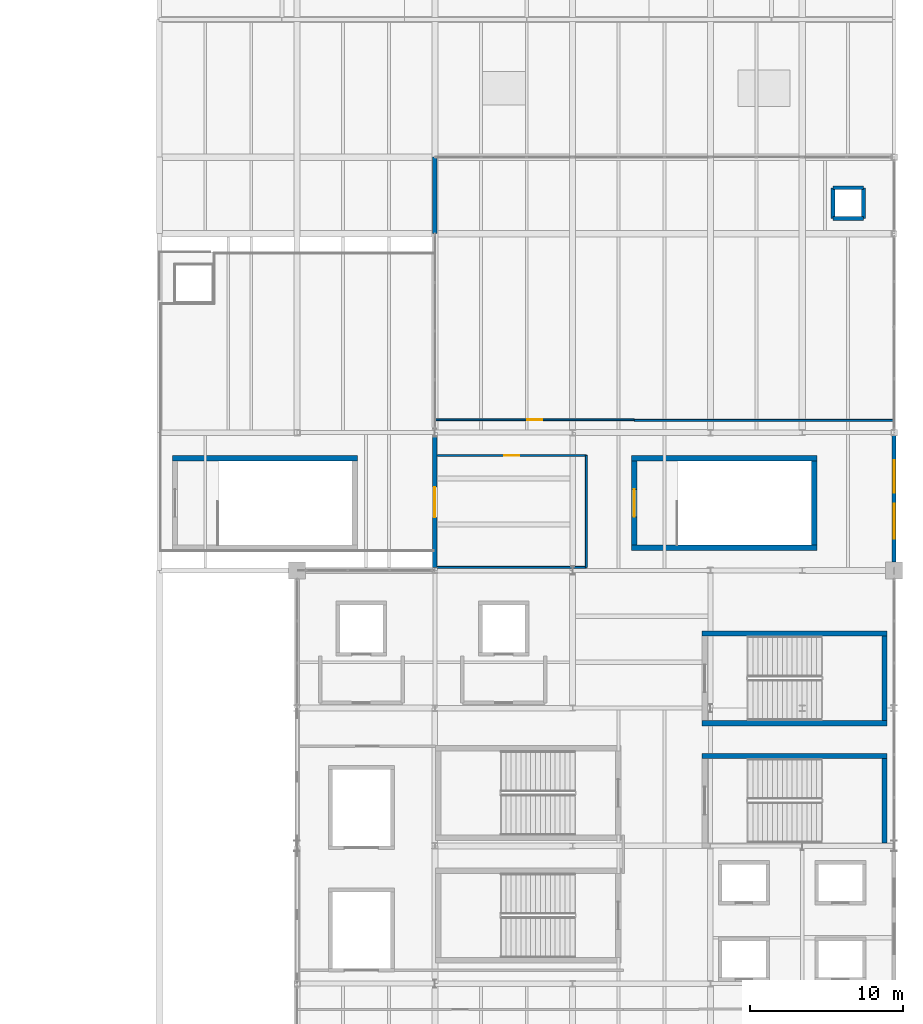
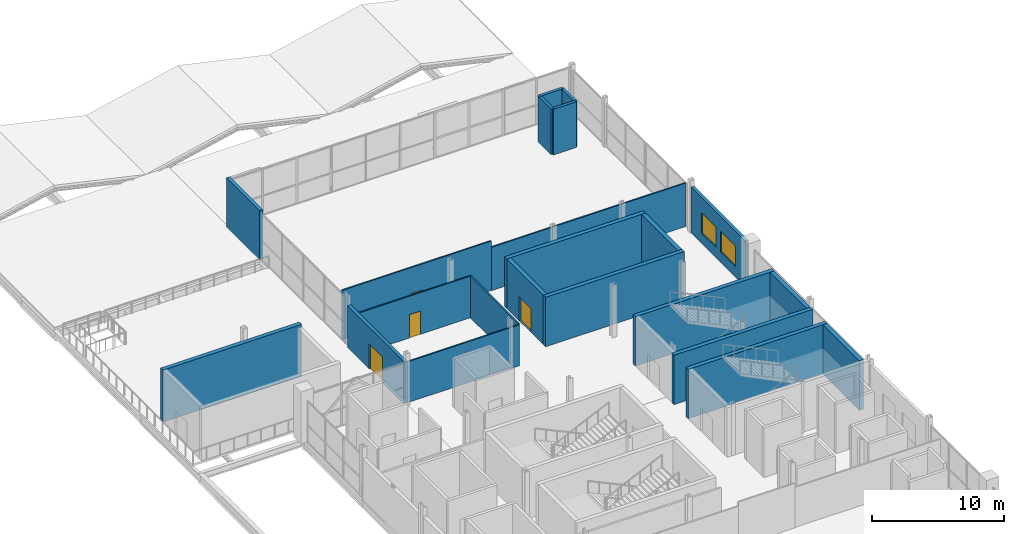
# One storey, part 42 of 50: 22 walls, 4 doors, 2 windows, 6 openings.
"""IFC4 building model written with IfcOpenShell, lengths in metres."""

import ifcopenshell
import ifcopenshell.guid

model = None  # the IFC model being written
_history = None  # IfcOwnerHistory: only IFC2X3 demands one
_inside = {}  # id of a spatial element -> (the spatial element, [elements in it])
_under = {}  # id of a project, library or spatial element -> (it, [spatial elements below it])
_declared = {}  # id of a project -> (the project, [libraries it declares])
_typed = {}  # id of a type object -> (the type object, [elements of that type])
_made_of = {}  # id of a material, layer set ... -> (it, [elements and type objects made of it])


def new_model(schema):
    """Start an empty IFC model of exactly this schema.

    Asked for "IFC4X3", IfcOpenShell would pick the latest addendum, in which some entities
    have other attributes; the version numbers below select the first issue.
    IFC2X3 requires an IfcOwnerHistory on every rooted entity: one is made here for all.
    """
    global model, _history
    if schema == "IFC4X3":
        model = ifcopenshell.file(schema_version=(4, 3, 0, 0))
    else:
        model = ifcopenshell.file(schema=schema)
    _inside.clear()
    _under.clear()
    _declared.clear()
    _typed.clear()
    _made_of.clear()
    _history = None
    if model.schema == "IFC2X3":
        org = make("IfcOrganization", Name="unknown")
        user = make(
            "IfcPersonAndOrganization",
            ThePerson=make("IfcPerson", FamilyName="unknown"),
            TheOrganization=org,
        )
        app = make(
            "IfcApplication",
            ApplicationDeveloper=org,
            Version="unknown",
            ApplicationFullName="unknown",
            ApplicationIdentifier="unknown",
        )
        _history = make(
            "IfcOwnerHistory",
            OwningUser=user,
            OwningApplication=app,
            ChangeAction="ADDED",
            CreationDate=0,
        )
    return model


def make(cls, **values):
    """One entity of the class cls with the attributes given. An attribute that is None is left unset."""
    return model.create_entity(
        cls, **{name: value for name, value in values.items() if value is not None}
    )


def rooted(cls, **values):
    """An entity with a GlobalId (a new one), such as an element, a storey or a relation."""
    return make(cls, GlobalId=ifcopenshell.guid.new(), OwnerHistory=_history, **values)


def si_unit(unit_type, name, prefix=None):
    """IfcSIUnit, for example si_unit("LENGTHUNIT", "METRE", prefix="MILLI")."""
    return make("IfcSIUnit", UnitType=unit_type, Prefix=prefix, Name=name)


def assignment(units):
    """IfcUnitAssignment: the units of a project."""
    return None if units is None else make("IfcUnitAssignment", Units=units)


def point(xyz):
    """IfcCartesianPoint."""
    return None if xyz is None else make("IfcCartesianPoint", Coordinates=xyz)


def direction(xyz):
    """IfcDirection."""
    return None if xyz is None else make("IfcDirection", DirectionRatios=xyz)


def frame(location, z_axis=None, x_axis=None):
    """IfcAxis2Placement3D, a coordinate frame: its origin and axes. An axis left out is left unset."""
    return make(
        "IfcAxis2Placement3D",
        Location=point(location),
        Axis=direction(z_axis),
        RefDirection=direction(x_axis),
    )


def frame_2d(location, x_axis=None):
    """IfcAxis2Placement2D, a coordinate frame in the plane: its origin and x axis."""
    return make(
        "IfcAxis2Placement2D", Location=point(location), RefDirection=direction(x_axis)
    )


def origin():
    """The frame at (0, 0, 0) with its axes left unset."""
    return frame((0.0, 0.0, 0.0))


def place(relative_to, where):
    """IfcLocalPlacement: puts the frame where relative to a parent placement (None: the world)."""
    return make(
        "IfcLocalPlacement", PlacementRelTo=relative_to, RelativePlacement=where
    )


def context(
    kind, dimensions, precision=None, world=None, true_north=None, identifier=None
):
    """IfcGeometricRepresentationContext, for example the 3D "Model" context."""
    return make(
        "IfcGeometricRepresentationContext",
        ContextIdentifier=identifier,
        ContextType=kind,
        CoordinateSpaceDimension=dimensions,
        Precision=precision,
        WorldCoordinateSystem=world,
        TrueNorth=true_north,
    )


def subcontext(parent, identifier, kind, view, scale=None):
    """IfcGeometricRepresentationSubContext, for example "Body" below "Model"."""
    return make(
        "IfcGeometricRepresentationSubContext",
        ContextIdentifier=identifier,
        ContextType=kind,
        ParentContext=parent,
        TargetScale=scale,
        TargetView=view,
    )


def project(units=None, contexts=None):
    """IfcProject with its units and contexts."""
    return rooted(
        "IfcProject",
        Name="project",
        RepresentationContexts=contexts,
        UnitsInContext=assignment(units),
    )


def spatial(cls, under=None, at=None, **own):
    """A site, building, storey or space (cls), placed at a placement, below another one or the project."""
    s = rooted(cls, ObjectPlacement=at, **own)
    if under is not None:
        _under.setdefault(under.id(), (under, []))[1].append(s)
    return s


def profile(cls, at=None, kind="AREA", **sizes):
    """A parametric profile (cls). Its sizes go by their IFC names, for example OverallWidth=200.0."""
    return make(cls, ProfileType=kind, Position=at, **sizes)


def rectangle(**sizes):
    """IfcRectangleProfileDef."""
    return profile("IfcRectangleProfileDef", **sizes)


def extrude(swept, where, along, depth):
    """IfcExtrudedAreaSolid: the profile swept, set in the frame where, extruded along a direction by depth."""
    return make(
        "IfcExtrudedAreaSolid",
        SweptArea=swept,
        Position=where,
        ExtrudedDirection=direction(along),
        Depth=depth,
    )


def shape(context_of_items, identifier, shape_type, items):
    """IfcShapeRepresentation: the items that make up one representation, for example the "Body"."""
    return make(
        "IfcShapeRepresentation",
        ContextOfItems=context_of_items,
        RepresentationIdentifier=identifier,
        RepresentationType=shape_type,
        Items=items,
    )


def material(Name=None, Category=None):
    """IfcMaterial."""
    return make("IfcMaterial", Name=Name, Category=Category)


def layer(
    of_material, thickness, ventilated=None, Name=None, Category=None, Priority=None
):
    """IfcMaterialLayer: one layer of a wall or slab, of a material (None: an air gap)."""
    return make(
        "IfcMaterialLayer",
        Material=of_material,
        LayerThickness=thickness,
        IsVentilated=ventilated,
        Name=Name,
        Category=Category,
        Priority=Priority,
    )


def layer_set(layers, Name=None):
    """IfcMaterialLayerSet."""
    return make("IfcMaterialLayerSet", MaterialLayers=layers, LayerSetName=Name)


def made_of(thing, what):
    """Note that an element or type object is made of a material, layer set ...; save() writes the relation."""
    if what is not None:
        _made_of.setdefault(what.id(), (what, []))[1].append(thing)
    return thing


def type_object(cls, material=None, **own):
    """A type object (cls), such as IfcWallType, which elements share."""
    return made_of(rooted(cls, **own), material)


def element(
    cls,
    number,
    at=None,
    inside=None,
    cuts=None,
    type_object=None,
    material=None,
    context=None,
    identifier="Body",
    shape_type=None,
    held_by="IfcProductDefinitionShape",
    body=None,
    shapes=None,
    **own,
):
    """One element of the class cls, such as IfcWall. Its Tag is "e" and its number.

    at: its placement. inside: the storey or other place that contains it. cuts: it is an
    opening in that element (IfcRelVoidsElement). A single representation is given by context,
    identifier, shape_type and body (its items); several are given by shapes. held_by: the class
    of the entity that holds the representations. save() writes the other relations.
    """
    e = rooted(cls, Tag="e%d" % number, ObjectPlacement=at, **own)
    if body is not None:
        shapes = [shape(context, identifier, shape_type, body)]
    if shapes is not None:
        e.Representation = make(held_by, Representations=shapes)
    if inside is not None:
        _inside.setdefault(inside.id(), (inside, []))[1].append(e)
    if cuts is not None:
        rooted(
            "IfcRelVoidsElement", RelatingBuildingElement=cuts, RelatedOpeningElement=e
        )
    if type_object is not None:
        _typed.setdefault(type_object.id(), (type_object, []))[1].append(e)
    return made_of(e, material)


def fill(opening, filler):
    """IfcRelFillsElement: the door or window that sits in an opening."""
    return rooted(
        "IfcRelFillsElement",
        RelatingOpeningElement=opening,
        RelatedBuildingElement=filler,
    )


def aggregate(whole, parts):
    """IfcRelAggregates: a whole, such as a stair, and the parts it consists of."""
    return rooted("IfcRelAggregates", RelatingObject=whole, RelatedObjects=parts)


def save(model, path):
    """Write the relations noted so far, then the file.

    IfcRelAggregates (storeys below a building ...), IfcRelContainedInSpatialStructure (elements
    in a storey), IfcRelDefinesByType, IfcRelAssociatesMaterial and IfcRelDeclares: one each for
    every whole, place, type object, material and project.
    """
    for whole, parts in _under.values():
        aggregate(whole, parts)
    for where, things in _inside.values():
        rooted(
            "IfcRelContainedInSpatialStructure",
            RelatedElements=things,
            RelatingStructure=where,
        )
    for kind, things in _typed.values():
        rooted("IfcRelDefinesByType", RelatedObjects=things, RelatingType=kind)
    for what, things in _made_of.values():
        rooted("IfcRelAssociatesMaterial", RelatedObjects=things, RelatingMaterial=what)
    for by, libraries in _declared.values():
        rooted("IfcRelDeclares", RelatingContext=by, RelatedDefinitions=libraries)
    model.write(path)


model = new_model("IFC4")

# Units and contexts
model_context = context("Model", 3, precision=1e-05, world=origin(), true_north=direction((0.0, 1.0)))
body_context = subcontext(model_context, "Body", "Model", "MODEL_VIEW")
ifc_project = project(units=[si_unit("LENGTHUNIT", "METRE"), si_unit("AREAUNIT", "SQUARE_METRE"), si_unit("VOLUMEUNIT", "CUBIC_METRE"), si_unit("PLANEANGLEUNIT", "RADIAN"), si_unit("MASSUNIT", "GRAM", prefix="KILO")], contexts=[model_context])

# Site, building, storey
site_placement = place(None, origin())
site = spatial("IfcSite", under=ifc_project, at=site_placement, CompositionType="ELEMENT")
building_placement = place(site_placement, origin())
building = spatial("IfcBuilding", under=site, at=building_placement, Name="Qamarlyn Nura Convention Centre", CompositionType="ELEMENT")
storey_placement = place(building_placement, frame((0.0, 0.0, 20.39990234375)))
storey = spatial("IfcBuildingStorey", under=building, at=storey_placement, Name="L04", CompositionType="ELEMENT", Elevation=20.39990234375)

# Walls
ifc_material_1 = material(Name="Concrete C50/60", Category="concrete")
ifc_layer_1 = layer(ifc_material_1, 0.35009765625, Name="WT-CORE-350")
ifc_layer_set_1 = layer_set([ifc_layer_1], Name="Concrete C50/60")
wall_type_1 = type_object("IfcWallType", Name="WT-CORE-350", PredefinedType="SHEAR", material=ifc_layer_set_1)
wall_1_placement = place(storey_placement, frame((191.550048828125, 68.875, 0.0), z_axis=(0.0, 0.0, 1.0), x_axis=(-1.0, 0.0, 0.0)))
element("IfcWall", 1, at=wall_1_placement, inside=storey, type_object=wall_type_1, Name="L04 stair core shear wall ST-13-N", PredefinedType="SHEAR", context=body_context, shape_type="SweptSolid", body=[
    extrude(rectangle(XDim=12.10009765625, YDim=0.35009765625, at=frame_2d((6.050048828125, 0.0))), origin(), (0.0, 0.0, 1.0), 4.56005859375),
])
wall_2_placement = place(storey_placement, frame((191.375, 63.199951171875, 0.0), z_axis=(0.0, 0.0, 1.0), x_axis=(0.0, 1.0, 0.0)))
element("IfcWall", 2, at=wall_2_placement, inside=storey, type_object=wall_type_1, Name="L04 stair core shear wall ST-13-E", PredefinedType="SHEAR", context=body_context, shape_type="SweptSolid", body=[
    extrude(rectangle(XDim=5.5, YDim=0.35009765625, at=frame_2d((2.75, 0.0))), origin(), (0.0, 0.0, 1.0), 4.56005859375),
])
for number, where, z_axis, x_axis, name in (
    (3, (179.449951171875, 71.02490234375, 0.0), (0.0, 0.0, 1.0), (1.0, 0.0, 0.0), "L04 stair core shear wall ST-14-S"),
    (4, (191.550048828125, 76.875, 0.0), (0.0, 0.0, 1.0), (-1.0, 0.0, 0.0), "L04 stair core shear wall ST-14-N"),
):
    element("IfcWall", number, at=place(storey_placement, frame(where, z_axis=z_axis, x_axis=x_axis)), inside=storey, type_object=wall_type_1, Name=name, PredefinedType="SHEAR", context=body_context, shape_type="SweptSolid", body=[
        extrude(rectangle(XDim=12.10009765625, YDim=0.35009765625, at=frame_2d((6.050048828125, 0.0))), origin(), (0.0, 0.0, 1.0), 4.56005859375),
    ])
wall_3_placement = place(storey_placement, frame((191.375, 71.199951171875, 0.0), z_axis=(0.0, 0.0, 1.0), x_axis=(0.0, 1.0, 0.0)))
element("IfcWall", 5, at=wall_3_placement, inside=storey, type_object=wall_type_1, Name="L04 stair core shear wall ST-14-E", PredefinedType="SHEAR", context=body_context, shape_type="SweptSolid", body=[
    extrude(rectangle(XDim=5.5, YDim=0.35009765625, at=frame_2d((2.75, 0.0))), origin(), (0.0, 0.0, 1.0), 4.56005859375),
])
wall_4_placement = place(storey_placement, frame((156.949951171875, 88.324951171875, 0.0), z_axis=(0.0, 0.0, 1.0), x_axis=(-1.0, 0.0, 0.0)))
element("IfcWall", 6, at=wall_4_placement, inside=storey, type_object=wall_type_1, Name="L04 stair core shear wall ST-15-N", PredefinedType="SHEAR", context=body_context, shape_type="SweptSolid", body=[
    extrude(rectangle(XDim=12.099853515625, YDim=0.35009765625, at=frame_2d((6.0498046875, 0.0))), origin(), (0.0, 0.0, 1.0), 4.800048828125),
])
for number, where, z_axis, x_axis, name in (
    (7, (174.85009765625, 82.47509765625, 0.0), (0.0, 0.0, 1.0), (1.0, 0.0, 0.0), "L04 stair core shear wall ST-17-S"),
    (8, (186.949951171875, 88.324951171875, 0.0), (0.0, 0.0, 1.0), (-1.0, 0.0, 0.0), "L04 stair core shear wall ST-17-N"),
):
    element("IfcWall", number, at=place(storey_placement, frame(where, z_axis=z_axis, x_axis=x_axis)), inside=storey, type_object=wall_type_1, Name=name, PredefinedType="SHEAR", context=body_context, shape_type="SweptSolid", body=[
        extrude(rectangle(XDim=12.099853515625, YDim=0.35009765625, at=frame_2d((6.0498046875, 0.0))), origin(), (0.0, 0.0, 1.0), 4.56005859375),
    ])

# Wall, opening, door
wall_5_placement = place(storey_placement, frame((175.02490234375, 88.14990234375, 0.0), z_axis=(0.0, 0.0, 1.0), x_axis=(0.0, -1.0, 0.0)))
wall_5 = element("IfcWall", 9, at=wall_5_placement, inside=storey, type_object=wall_type_1, Name="L04 stair core shear wall ST-17-W", PredefinedType="SHEAR", context=body_context, shape_type="SweptSolid", body=[
    extrude(rectangle(XDim=5.5, YDim=0.35009765625, at=frame_2d((2.75, 0.0))), origin(), (0.0, 0.0, 1.0), 4.56005859375),
])
opening_1_placement = place(wall_5_placement, frame((1.85009765625, 0.0, 0.0)))
opening_1 = element("IfcOpeningElement", 10, at=opening_1_placement, cuts=wall_5, Name="Opening DS-087", PredefinedType="OPENING", context=body_context, shape_type="SweptSolid", body=[
    extrude(rectangle(XDim=1.800048828125, YDim=2.199951171875, at=frame_2d((0.89990234375, 1.10009765625))), frame((0.0, 0.18505859375, 0.0), z_axis=(0.0, -1.0, 0.0), x_axis=(1.0, 0.0, 0.0)), (0.0, 0.0, 1.0), 0.3701171875),
])
ifc_material_2 = material(Name="Galvanised fire-rated hollow steel door", Category="steel")
door_type_1 = type_object("IfcDoorType", Name="DR-STAIR-1800", OperationType="DOUBLE_DOOR_SINGLE_SWING", PredefinedType="DOOR", material=ifc_material_2)
door_1_placement = place(opening_1_placement, origin())
door_1 = element("IfcDoor", 11, at=door_1_placement, inside=storey, type_object=door_type_1, Name="L04 exit stair door ST-17 (DS-087)", OperationType="DOUBLE_DOOR_SINGLE_SWING", OverallHeight=2.199951171875, OverallWidth=1.800048828125, PredefinedType="DOOR", context=body_context, shape_type="SweptSolid", body=[
    extrude(rectangle(XDim=1.800048828125, YDim=2.199951171875, at=frame_2d((0.89990234375, 1.10009765625))), frame((0.0, 0.02490234375, 0.0), z_axis=(0.0, -1.0, 0.0), x_axis=(1.0, 0.0, 0.0)), (0.0, 0.0, 1.0), 0.050048828125),
])
fill(opening_1, door_1)

# Wall
wall_6_placement = place(storey_placement, frame((186.77490234375, 82.64990234375, 0.0), z_axis=(0.0, 0.0, 1.0), x_axis=(0.0, 1.0, 0.0)))
element("IfcWall", 12, at=wall_6_placement, inside=storey, type_object=wall_type_1, Name="L04 stair core shear wall ST-17-E", PredefinedType="SHEAR", context=body_context, shape_type="SweptSolid", body=[
    extrude(rectangle(XDim=5.5, YDim=0.35009765625, at=frame_2d((2.75, 0.0))), origin(), (0.0, 0.0, 1.0), 4.56005859375),
])

# Wall, openings, windows
ifc_material_3 = material(Name="Concrete C40/50", Category="concrete")
ifc_layer_2 = layer(ifc_material_3, 0.260009765625, Name="WT-EXT-260")
ifc_layer_set_2 = layer_set([ifc_layer_2], Name="Concrete C40/50")
wall_type_2 = type_object("IfcWallType", Name="WT-EXT-260", PredefinedType="SOLIDWALL", material=ifc_layer_set_2)
wall_7_placement = place(storey_placement, frame((192.0, 89.800048828125, 0.0), z_axis=(0.0, 0.0, 1.0), x_axis=(0.0, -1.0, 0.0)))
wall_7 = element("IfcWall", 13, at=wall_7_placement, inside=storey, type_object=wall_type_2, Name="L04 exterior facade wall WEXT-L04-1920-898-1920-816", PredefinedType="SOLIDWALL", context=body_context, shape_type="SweptSolid", body=[
    extrude(rectangle(XDim=8.25, YDim=0.260009765625, at=frame_2d((4.125, 0.0))), origin(), (0.0, 0.0, 1.0), 4.2451171875),
])
opening_2_placement = place(wall_7_placement, frame((1.58740234375, 0.0, 0.949951171875)))
opening_2 = element("IfcOpeningElement", 14, at=opening_2_placement, cuts=wall_7, Name="Opening WN06", PredefinedType="OPENING", context=body_context, shape_type="SweptSolid", body=[
    extrude(rectangle(XDim=2.14990234375, YDim=1.85009765625, at=frame_2d((1.074951171875, 0.925048828125))), frame((0.0, 0.14013671875, 0.0), z_axis=(0.0, -1.0, 0.0), x_axis=(1.0, 0.0, 0.0)), (0.0, 0.0, 1.0), 0.280029296875),
])
opening_3_placement = place(wall_7_placement, frame((4.4375, 0.0, 0.949951171875)))
opening_3 = element("IfcOpeningElement", 15, at=opening_3_placement, cuts=wall_7, Name="Opening WN07", PredefinedType="OPENING", context=body_context, shape_type="SweptSolid", body=[
    extrude(rectangle(XDim=2.300048828125, YDim=1.89990234375, at=frame_2d((1.14990234375, 0.949951171875))), frame((0.0, 0.14013671875, 0.0), z_axis=(0.0, -1.0, 0.0), x_axis=(1.0, 0.0, 0.0)), (0.0, 0.0, 1.0), 0.280029296875),
])
ifc_material_4 = material(Name="Double-silver low-E insulated glass", Category="glass")
window_type_1 = type_object("IfcWindowType", Name="WIN-SOL-06", PartitioningType="SINGLE_PANEL", PredefinedType="WINDOW", material=ifc_material_4)
window_1_placement = place(opening_2_placement, origin())
window_1 = element("IfcWindow", 16, at=window_1_placement, inside=storey, type_object=window_type_1, Name="L04 solar-control window 054", OverallHeight=1.85009765625, OverallWidth=2.14990234375, PartitioningType="SINGLE_PANEL", PredefinedType="WINDOW", context=body_context, shape_type="SweptSolid", body=[
    extrude(rectangle(XDim=2.14990234375, YDim=1.85009765625, at=frame_2d((1.074951171875, 0.925048828125))), frame((0.0, 0.030029296875, 0.0), z_axis=(0.0, -1.0, 0.0), x_axis=(1.0, 0.0, 0.0)), (0.0, 0.0, 1.0), 0.06005859375),
])
fill(opening_2, window_1)
window_type_2 = type_object("IfcWindowType", Name="WIN-SOL-07", PartitioningType="SINGLE_PANEL", PredefinedType="WINDOW", material=ifc_material_4)
window_2_placement = place(opening_3_placement, origin())
window_2 = element("IfcWindow", 17, at=window_2_placement, inside=storey, type_object=window_type_2, Name="L04 solar-control window 055", OverallHeight=1.89990234375, OverallWidth=2.300048828125, PartitioningType="SINGLE_PANEL", PredefinedType="WINDOW", context=body_context, shape_type="SweptSolid", body=[
    extrude(rectangle(XDim=2.300048828125, YDim=1.89990234375, at=frame_2d((1.14990234375, 0.949951171875))), frame((0.0, 0.030029296875, 0.0), z_axis=(0.0, -1.0, 0.0), x_axis=(1.0, 0.0, 0.0)), (0.0, 0.0, 1.0), 0.06005859375),
])
fill(opening_3, window_2)

# Wall, opening, door
ifc_layer_3 = layer(ifc_material_3, 0.280029296875, Name="WT-EXT-280")
ifc_layer_set_3 = layer_set([ifc_layer_3], Name="Concrete C40/50")
wall_type_3 = type_object("IfcWallType", Name="WT-EXT-280", PredefinedType="SOLIDWALL", material=ifc_layer_set_3)
wall_8_placement = place(storey_placement, frame((162.0, 81.177978515625, 0.0), z_axis=(0.0, 0.0, 1.0), x_axis=(0.0, 1.0, 0.0)))
wall_8 = element("IfcWall", 18, at=wall_8_placement, inside=storey, type_object=wall_type_3, Name="L04 exterior facade wall WEXT-L04-1620-812-1620-897", PredefinedType="SOLIDWALL", context=body_context, shape_type="SweptSolid", body=[
    extrude(rectangle(XDim=8.552490234375, YDim=0.280029296875, at=frame_2d((4.2763671875, 0.0))), origin(), (0.0, 0.0, 1.0), 3.85009765625),
])
opening_4_placement = place(wall_8_placement, frame((3.286376953125, 0.0, 0.0)))
opening_4 = element("IfcOpeningElement", 19, at=opening_4_placement, cuts=wall_8, Name="Opening DT-L04-81", PredefinedType="OPENING", context=body_context, shape_type="SweptSolid", body=[
    extrude(rectangle(XDim=1.97998046875, YDim=2.300048828125, at=frame_2d((0.989990234375, 1.14990234375))), frame((0.0, 0.14990234375, 0.0), z_axis=(0.0, -1.0, 0.0), x_axis=(1.0, 0.0, 0.0)), (0.0, 0.0, 1.0), 0.300048828125),
])
ifc_material_5 = material(Name="Champagne-anodised marine aluminium", Category="aluminium")
door_type_2 = type_object("IfcDoorType", Name="DR-TERR-1980", OperationType="DOUBLE_DOOR_SINGLE_SWING", PredefinedType="DOOR", material=ifc_material_5)
door_2_placement = place(opening_4_placement, origin())
door_2 = element("IfcDoor", 20, at=door_2_placement, inside=storey, type_object=door_type_2, Name="L04 terrace access door DT-L04-81", OperationType="DOUBLE_DOOR_SINGLE_SWING", OverallHeight=2.300048828125, OverallWidth=1.97998046875, PredefinedType="DOOR", context=body_context, shape_type="SweptSolid", body=[
    extrude(rectangle(XDim=1.97998046875, YDim=2.300048828125, at=frame_2d((0.989990234375, 1.14990234375))), frame((0.0, 0.02490234375, 0.0), z_axis=(0.0, -1.0, 0.0), x_axis=(1.0, 0.0, 0.0)), (0.0, 0.0, 1.0), 0.050048828125),
])
fill(opening_4, door_2)

# Wall
wall_9_placement = place(storey_placement, frame((162.0, 103.0, 0.0), z_axis=(0.0, 0.0, 1.0), x_axis=(0.0, 1.0, 0.0)))
element("IfcWall", 21, at=wall_9_placement, inside=storey, type_object=wall_type_3, Name="L04 exterior facade wall WEXT-L04-1620-1030-1620-1080", PredefinedType="SOLIDWALL", context=body_context, shape_type="SweptSolid", body=[
    extrude(rectangle(XDim=5.0, YDim=0.280029296875, at=frame_2d((2.5, 0.0))), origin(), (0.0, 0.0, 1.0), 4.56005859375),
])

# Wall, opening, door
ifc_material_6 = material(Name="Acoustic double-stud gypsum partition")
ifc_layer_4 = layer(ifc_material_6, 0.1201171875, Name="WT-PART-120")
ifc_layer_set_4 = layer_set([ifc_layer_4], Name="Acoustic double-stud gypsum partition")
wall_type_4 = type_object("IfcWallType", Name="WT-PART-120", PredefinedType="PARTITIONING", material=ifc_layer_set_4)
wall_10_placement = place(storey_placement, frame((162.139892578125, 88.510009765625, 0.0), z_axis=(0.0, 0.0, 1.0), x_axis=(1.0, 0.0, 0.0)))
wall_10 = element("IfcWall", 22, at=wall_10_placement, inside=storey, type_object=wall_type_4, Name="L04 interior partition L04-PRV-LNG4-1-1", PredefinedType="PARTITIONING", context=body_context, shape_type="SweptSolid", body=[
    extrude(rectangle(XDim=9.760009765625, YDim=0.1201171875, at=frame_2d((4.8798828125, 0.0))), origin(), (0.0, 0.0, 1.0), 3.85009765625),
])
opening_5_placement = place(wall_10_placement, frame((4.389892578125, 0.0, 0.0)))
opening_5 = element("IfcOpeningElement", 23, at=opening_5_placement, cuts=wall_10, Name="Opening D-L04-208", PredefinedType="OPENING", context=body_context, shape_type="SweptSolid", body=[
    extrude(rectangle(XDim=0.97998046875, YDim=2.14990234375, at=frame_2d((0.489990234375, 1.074951171875))), frame((0.0, 0.070068359375, 0.0), z_axis=(0.0, -1.0, 0.0), x_axis=(1.0, 0.0, 0.0)), (0.0, 0.0, 1.0), 0.14013671875),
])
ifc_material_7 = material(Name="Acoustic walnut timber leaf", Category="wood")
door_type_3 = type_object("IfcDoorType", Name="DR-ROOM-0980", OperationType="NOTDEFINED", PredefinedType="DOOR", material=ifc_material_7)
door_3_placement = place(opening_5_placement, origin())
door_3 = element("IfcDoor", 24, at=door_3_placement, inside=storey, type_object=door_type_3, Name="L04 Sky-Court Ante-Lounge door D-L04-208", OperationType="SINGLE_SWING_RIGHT", OverallHeight=2.14990234375, OverallWidth=0.97998046875, PredefinedType="DOOR", context=body_context, shape_type="SweptSolid", body=[
    extrude(rectangle(XDim=0.97998046875, YDim=2.14990234375, at=frame_2d((0.489990234375, 1.074951171875))), frame((0.0, 0.02490234375, 0.0), z_axis=(0.0, -1.0, 0.0), x_axis=(1.0, 0.0, 0.0)), (0.0, 0.0, 1.0), 0.050048828125),
])
fill(opening_5, door_3)

# Walls
wall_11_placement = place(storey_placement, frame((171.89990234375, 88.510009765625, 0.0), z_axis=(0.0, 0.0, 1.0), x_axis=(0.0, -1.0, 0.0)))
element("IfcWall", 25, at=wall_11_placement, inside=storey, type_object=wall_type_4, Name="L04 interior partition L04-PRV-LNG4-2-1", PredefinedType="PARTITIONING", context=body_context, shape_type="SweptSolid", body=[
    extrude(rectangle(XDim=7.31005859375, YDim=0.1201171875, at=frame_2d((3.655029296875, 0.0))), origin(), (0.0, 0.0, 1.0), 3.85009765625),
])
wall_12_placement = place(storey_placement, frame((171.89990234375, 81.199951171875, 0.0), z_axis=(0.0, 0.0, 1.0), x_axis=(-1.0, 0.0, 0.0)))
element("IfcWall", 26, at=wall_12_placement, inside=storey, type_object=wall_type_4, Name="L04 interior partition L04-PRV-LNG4-3-1", PredefinedType="PARTITIONING", context=body_context, shape_type="SweptSolid", body=[
    extrude(rectangle(XDim=9.760009765625, YDim=0.1201171875, at=frame_2d((4.8798828125, 0.0))), origin(), (0.0, 0.0, 1.0), 3.772216796875),
])
wall_13_placement = place(storey_placement, frame((191.988037109375, 90.800048828125, 0.0), z_axis=(0.0, 0.0, 1.0), x_axis=(-1.0, 0.0, 0.0)))
element("IfcWall", 27, at=wall_13_placement, inside=storey, type_object=wall_type_4, Name="L04 interior partition L04-LNG-DELG-3-1", PredefinedType="PARTITIONING", context=body_context, shape_type="SweptSolid", body=[
    extrude(rectangle(XDim=16.968017578125, YDim=0.1201171875, at=frame_2d((8.48388671875, 0.0))), origin(), (0.0, 0.0, 1.0), 4.006103515625),
])

# Wall, opening, door
wall_14_placement = place(storey_placement, frame((175.02001953125, 90.840087890625, 0.0), z_axis=(0.0, 0.0, 1.0), x_axis=(-1.0, 0.0, 0.0)))
wall_14 = element("IfcWall", 28, at=wall_14_placement, inside=storey, type_object=wall_type_4, Name="L04 interior partition L04-LNG-DELG-20-1", PredefinedType="PARTITIONING", context=body_context, shape_type="SweptSolid", body=[
    extrude(rectangle(XDim=13.008056640625, YDim=0.1201171875, at=frame_2d((6.50390625, 0.0))), origin(), (0.0, 0.0, 1.0), 4.56005859375),
])
opening_6_placement = place(wall_14_placement, frame((6.013916015625, 0.0, 0.0)))
opening_6 = element("IfcOpeningElement", 29, at=opening_6_placement, cuts=wall_14, Name="Opening D-L04-213", PredefinedType="OPENING", context=body_context, shape_type="SweptSolid", body=[
    extrude(rectangle(XDim=0.97998046875, YDim=2.14990234375, at=frame_2d((0.489990234375, 1.074951171875))), frame((0.0, 0.070068359375, 0.0), z_axis=(0.0, -1.0, 0.0), x_axis=(1.0, 0.0, 0.0)), (0.0, 0.0, 1.0), 0.14013671875),
])
door_4_placement = place(opening_6_placement, origin())
door_4 = element("IfcDoor", 30, at=door_4_placement, inside=storey, type_object=door_type_3, Name="L04 Delegate Lounge door D-L04-213", OperationType="SINGLE_SWING_RIGHT", OverallHeight=2.14990234375, OverallWidth=0.97998046875, PredefinedType="DOOR", context=body_context, shape_type="SweptSolid", body=[
    extrude(rectangle(XDim=0.97998046875, YDim=2.14990234375, at=frame_2d((0.489990234375, 1.074951171875))), frame((0.0, 0.02490234375, 0.0), z_axis=(0.0, -1.0, 0.0), x_axis=(1.0, 0.0, 0.0)), (0.0, 0.0, 1.0), 0.050048828125),
])
fill(opening_6, door_4)

# Walls
ifc_material_8 = material(Name="Fire-rated acoustic gypsum board and mineral wool EI 120")
ifc_layer_5 = layer(ifc_material_8, 0.25, Name="WT-SHAFT-250")
ifc_layer_set_5 = layer_set([ifc_layer_5], Name="Fire-rated acoustic gypsum board and mineral wool EI 120")
wall_type_5 = type_object("IfcWallType", Name="WT-SHAFT-250", PredefinedType="SOLIDWALL", material=ifc_layer_set_5)
for number, where, z_axis, x_axis, name in (
    (31, (188.0, 104.0, 0.0), (0.0, 0.0, 1.0), (1.0, 0.0, 0.0), "L04 MEP riser shaft wall 37-S"),
    (32, (190.0, 106.0, 0.0), (0.0, 0.0, 1.0), (-1.0, 0.0, 0.0), "L04 MEP riser shaft wall 37-N"),
    (33, (188.0, 106.0, 0.0), (0.0, 0.0, 1.0), (0.0, -1.0, 0.0), "L04 MEP riser shaft wall 37-W"),
    (34, (190.0, 104.0, 0.0), (0.0, 0.0, 1.0), (0.0, 1.0, 0.0), "L04 MEP riser shaft wall 37-E"),
):
    element("IfcWall", number, at=place(storey_placement, frame(where, z_axis=z_axis, x_axis=x_axis)), inside=storey, type_object=wall_type_5, Name=name, PredefinedType="SOLIDWALL", context=body_context, shape_type="SweptSolid", body=[
        extrude(rectangle(XDim=2.0, YDim=0.25, at=frame_2d((1.0, 0.0))), origin(), (0.0, 0.0, 1.0), 4.210205078125),
    ])

save(model, "model.ifc")
